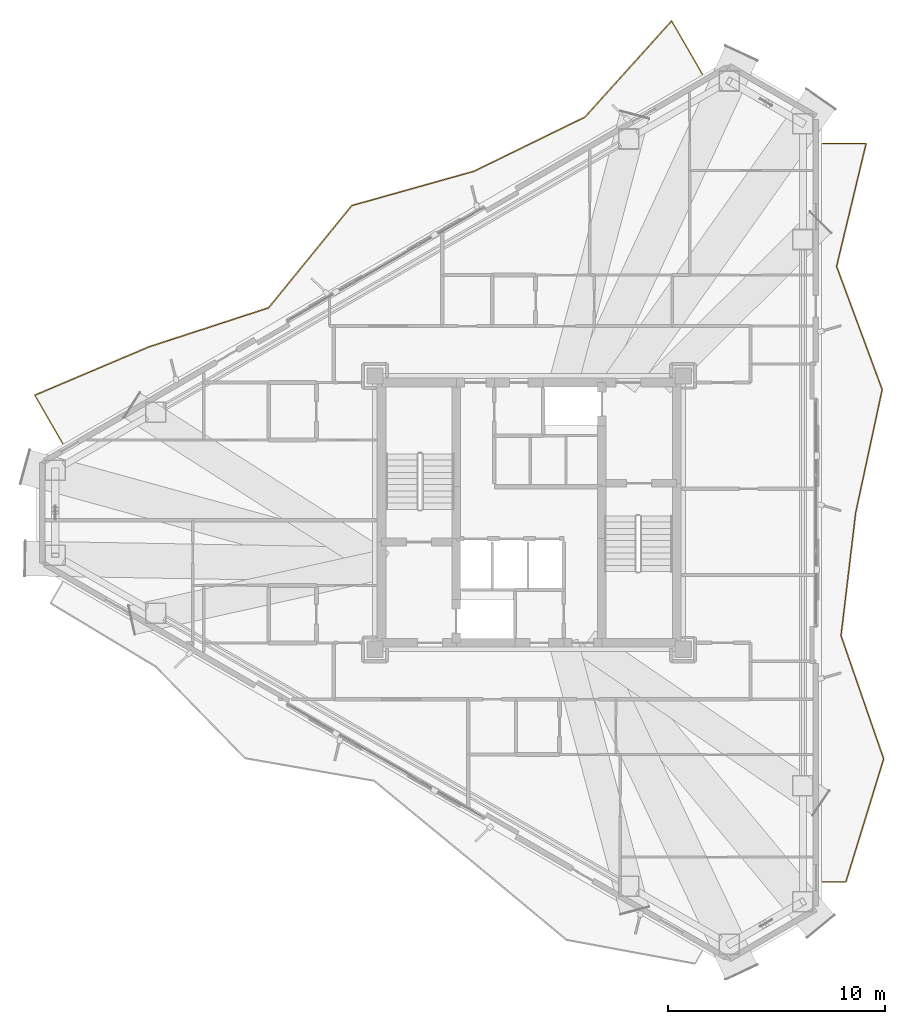
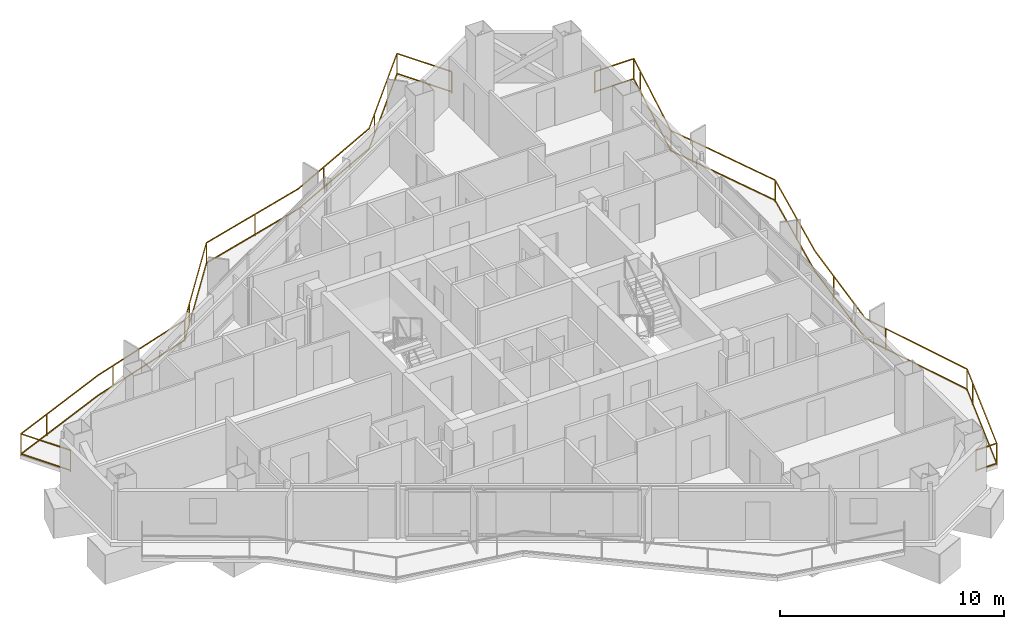
# One storey, part 21 of 21: 2 railings.
"""IFC4 building model written with IfcOpenShell, lengths in metres."""

from ifc_helpers import new_model, si_unit, direction, frame, origin, origin_2d, place, context, subcontext, project, spatial, rectangle, extrude, material, type_object, element, save


model = new_model("IFC4")

# Units and contexts
model_context = context("Model", 3, precision=1e-05, world=origin(), true_north=direction((0.0, 1.0)))
body_context = subcontext(model_context, "Body", "Model", "MODEL_VIEW")
ifc_project = project(units=[si_unit("LENGTHUNIT", "METRE"), si_unit("AREAUNIT", "SQUARE_METRE"), si_unit("VOLUMEUNIT", "CUBIC_METRE"), si_unit("PLANEANGLEUNIT", "RADIAN"), si_unit("MASSUNIT", "GRAM", prefix="KILO")], contexts=[model_context])

# Site, building, storey
site_placement = place(None, origin())
site = spatial("IfcSite", under=ifc_project, at=site_placement, CompositionType="ELEMENT")
building_placement = place(site_placement, origin())
building = spatial("IfcBuilding", under=site, at=building_placement, Name="Mersakhor Tower and Convention Hall", CompositionType="ELEMENT")
storey_placement = place(building_placement, frame((0.0, 0.0, 121.199951171875)))
storey = spatial("IfcBuildingStorey", under=building, at=storey_placement, Name="L33", CompositionType="ELEMENT", Elevation=121.199951171875)

# Railings
ifc_material = material(Name="Powder-coated galvanised steel and laminated glass balustrade", Category="steel")
railing_type = type_object("IfcRailingType", Name="RL-BAL-1200", PredefinedType="BALUSTRADE", material=ifc_material)
railing_1_placement = place(storey_placement, frame((36.983154296875, 46.969482421875, 0.0)))
element("IfcRailing", 1, at=railing_1_placement, inside=storey, type_object=railing_type, Name="L33 Sinusoidal Balcony Balustrade F1", PredefinedType="BALUSTRADE", context=body_context, shape_type="SweptSolid", body=[
    extrude(rectangle(XDim=0.048095703125, YDim=0.048095703125, at=origin_2d()), frame((0.0, 0.0, 1.17578125), z_axis=(-0.500012199891, 0.86601836006, 0.0), x_axis=(-0.86601836006, -0.500012199891, 0.0)), (0.0, 0.0, 1.0), 2.8203125),
    extrude(rectangle(XDim=0.048095703125, YDim=0.048095703125, at=origin_2d()), frame((0.0, 0.0, 0.080078125), z_axis=(-0.500012199891, 0.86601836006, 0.0), x_axis=(-0.86601836006, -0.500012199891, 0.0)), (0.0, 0.0, 1.0), 2.8203125),
    extrude(rectangle(XDim=0.048095703125, YDim=0.048095703125, at=origin_2d()), frame((-1.41015625, 2.4423828125, 1.17578125), z_axis=(-0.669360291036, -0.742937952177, 0.0), x_axis=(0.742937952177, -0.669360291036, 0.0)), (0.0, 0.0, 1.0), 5.966064453125),
    extrude(rectangle(XDim=0.048095703125, YDim=0.048095703125, at=origin_2d()), frame((-1.41015625, 2.4423828125, 0.080078125), z_axis=(-0.669360291036, -0.742937952177, 0.0), x_axis=(0.742937952177, -0.669360291036, 0.0)), (0.0, 0.0, 1.0), 5.966064453125),
    extrude(rectangle(XDim=0.048095703125, YDim=0.048095703125, at=origin_2d()), frame((-5.403564453125, -1.989990234375, 1.17578125), z_axis=(-0.898610808276, -0.438746641297, 0.0), x_axis=(0.438746641297, -0.898610808276, 0.0)), (0.0, 0.0, 1.0), 5.68798828125),
    extrude(rectangle(XDim=0.048095703125, YDim=0.048095703125, at=origin_2d()), frame((-5.403564453125, -1.989990234375, 0.080078125), z_axis=(-0.898610808276, -0.438746641297, 0.0), x_axis=(0.438746641297, -0.898610808276, 0.0)), (0.0, 0.0, 1.0), 5.68798828125),
    extrude(rectangle(XDim=0.048095703125, YDim=0.048095703125, at=origin_2d()), frame((-10.514892578125, -4.485595703125, 1.17578125), z_axis=(-0.96273679858, -0.270440116589, 0.0), x_axis=(0.270440116589, -0.96273679858, 0.0)), (0.0, 0.0, 1.0), 5.856201171875),
    extrude(rectangle(XDim=0.048095703125, YDim=0.048095703125, at=origin_2d()), frame((-10.514892578125, -4.485595703125, 0.080078125), z_axis=(-0.96273679858, -0.270440116589, 0.0), x_axis=(0.270440116589, -0.96273679858, 0.0)), (0.0, 0.0, 1.0), 5.856201171875),
    extrude(rectangle(XDim=0.048095703125, YDim=0.048095703125, at=origin_2d()), frame((-16.15283203125, -6.0693359375, 1.17578125), z_axis=(-0.630989062875, -0.775791726259, 0.0), x_axis=(0.775791726259, -0.630989062875, 0.0)), (0.0, 0.0, 1.0), 6.072998046875),
    extrude(rectangle(XDim=0.048095703125, YDim=0.048095703125, at=origin_2d()), frame((-16.15283203125, -6.0693359375, 0.080078125), z_axis=(-0.630989062875, -0.775791726259, 0.0), x_axis=(0.775791726259, -0.630989062875, 0.0)), (0.0, 0.0, 1.0), 6.072998046875),
    extrude(rectangle(XDim=0.048095703125, YDim=0.048095703125, at=origin_2d()), frame((-19.98486328125, -10.78076171875, 1.17578125), z_axis=(-0.950655636145, -0.310248064402, 0.0), x_axis=(0.310248064402, -0.950655636145, 0.0)), (0.0, 0.0, 1.0), 5.799560546875),
    extrude(rectangle(XDim=0.048095703125, YDim=0.048095703125, at=origin_2d()), frame((-19.98486328125, -10.78076171875, 0.080078125), z_axis=(-0.950655636145, -0.310248064402, 0.0), x_axis=(0.310248064402, -0.950655636145, 0.0)), (0.0, 0.0, 1.0), 5.799560546875),
    extrude(rectangle(XDim=0.048095703125, YDim=0.048095703125, at=origin_2d()), frame((-25.498291015625, -12.580078125, 1.17578125), z_axis=(-0.920808646628, -0.390014661642, 0.0), x_axis=(0.390014661642, -0.920808646628, 0.0)), (0.0, 0.0, 1.0), 5.7177734375),
    extrude(rectangle(XDim=0.048095703125, YDim=0.048095703125, at=origin_2d()), frame((-25.498291015625, -12.580078125, 0.080078125), z_axis=(-0.920808646628, -0.390014661642, 0.0), x_axis=(0.390014661642, -0.920808646628, 0.0)), (0.0, 0.0, 1.0), 5.7177734375),
    extrude(rectangle(XDim=0.048095703125, YDim=0.048095703125, at=origin_2d()), frame((-30.76318359375, -14.81005859375, 1.17578125), z_axis=(0.500022914263, -0.866012173824, 0.0), x_axis=(0.866012173824, 0.500022914263, 0.0)), (0.0, 0.0, 1.0), 2.5556640625),
    extrude(rectangle(XDim=0.048095703125, YDim=0.048095703125, at=origin_2d()), frame((-30.76318359375, -14.81005859375, 0.080078125), z_axis=(0.500022914263, -0.866012173824, 0.0), x_axis=(0.866012173824, 0.500022914263, 0.0)), (0.0, 0.0, 1.0), 2.5556640625),
    extrude(rectangle(XDim=0.0419921875, YDim=0.0419921875, at=origin_2d()), origin(), (0.0, 0.0, 1.0), 1.15185546875),
    extrude(rectangle(XDim=0.0419921875, YDim=0.0419921875, at=origin_2d()), frame((-1.41015625, 2.4423828125, 0.0)), (0.0, 0.0, 1.0), 1.15185546875),
    extrude(rectangle(XDim=0.0419921875, YDim=0.0419921875, at=origin_2d()), frame((-4.623046875, -1.123779296875, 0.0)), (0.0, 0.0, 1.0), 1.15185546875),
    extrude(rectangle(XDim=0.0419921875, YDim=0.0419921875, at=origin_2d()), frame((-8.669189453125, -3.58447265625, 0.0)), (0.0, 0.0, 1.0), 1.15185546875),
    extrude(rectangle(XDim=0.0419921875, YDim=0.0419921875, at=origin_2d()), frame((-13.158447265625, -5.228271484375, 0.0)), (0.0, 0.0, 1.0), 1.15185546875),
    extrude(rectangle(XDim=0.0419921875, YDim=0.0419921875, at=origin_2d()), frame((-16.15283203125, -6.0693359375, 0.0)), (0.0, 0.0, 1.0), 1.15185546875),
    extrude(rectangle(XDim=0.0419921875, YDim=0.0419921875, at=origin_2d()), frame((-19.181640625, -9.793212890625, 0.0)), (0.0, 0.0, 1.0), 1.15185546875),
    extrude(rectangle(XDim=0.0419921875, YDim=0.0419921875, at=origin_2d()), frame((-19.98486328125, -10.78076171875, 0.0)), (0.0, 0.0, 1.0), 1.15185546875),
    extrude(rectangle(XDim=0.0419921875, YDim=0.0419921875, at=origin_2d()), frame((-24.548095703125, -12.27001953125, 0.0)), (0.0, 0.0, 1.0), 1.15185546875),
    extrude(rectangle(XDim=0.0419921875, YDim=0.0419921875, at=origin_2d()), frame((-28.997802734375, -14.062255859375, 0.0)), (0.0, 0.0, 1.0), 1.15185546875),
    extrude(rectangle(XDim=0.0419921875, YDim=0.0419921875, at=origin_2d()), frame((-30.76318359375, -14.81005859375, 0.0)), (0.0, 0.0, 1.0), 1.15185546875),
    extrude(rectangle(XDim=0.0419921875, YDim=0.0419921875, at=origin_2d()), frame((-29.4853515625, -17.023193359375, 0.0)), (0.0, 0.0, 1.0), 1.15185546875),
])
railing_2_placement = place(storey_placement, frame((42.519287109375, 9.726806640625, 0.0)))
element("IfcRailing", 2, at=railing_2_placement, inside=storey, type_object=railing_type, Name="L33 Sinusoidal Balcony Balustrade F2", PredefinedType="BALUSTRADE", context=body_context, shape_type="SweptSolid", body=[
    extrude(rectangle(XDim=0.048095703125, YDim=0.048095703125, at=origin_2d()), frame((0.0, 0.0, 1.17578125), z_axis=(1.0, 0.0, 0.0), x_axis=(0.0, 1.0, 0.0)), (0.0, 0.0, 1.0), 1.075927734375),
    extrude(rectangle(XDim=0.048095703125, YDim=0.048095703125, at=origin_2d()), frame((0.0, 0.0, 0.080078125), z_axis=(1.0, 0.0, 0.0), x_axis=(0.0, 1.0, 0.0)), (0.0, 0.0, 1.0), 1.075927734375),
    extrude(rectangle(XDim=0.048095703125, YDim=0.048095703125, at=origin_2d()), frame((1.075927734375, 0.0, 1.17578125), z_axis=(0.293770821567, 0.955875883363, 0.0), x_axis=(-0.955875883363, 0.293770821567, 0.0)), (0.0, 0.0, 1.0), 5.936279296875),
    extrude(rectangle(XDim=0.048095703125, YDim=0.048095703125, at=origin_2d()), frame((1.075927734375, 0.0, 0.080078125), z_axis=(0.293770821567, 0.955875883363, 0.0), x_axis=(-0.955875883363, 0.293770821567, 0.0)), (0.0, 0.0, 1.0), 5.936279296875),
    extrude(rectangle(XDim=0.048095703125, YDim=0.048095703125, at=origin_2d()), frame((2.81982421875, 5.67431640625, 1.17578125), z_axis=(-0.327232042812, 0.944944014298, 0.0), x_axis=(-0.944944014298, -0.327232042812, 0.0)), (0.0, 0.0, 1.0), 6.005126953125),
    extrude(rectangle(XDim=0.048095703125, YDim=0.048095703125, at=origin_2d()), frame((2.81982421875, 5.67431640625, 0.080078125), z_axis=(-0.327232042812, 0.944944014298, 0.0), x_axis=(-0.944944014298, -0.327232042812, 0.0)), (0.0, 0.0, 1.0), 6.005126953125),
    extrude(rectangle(XDim=0.048095703125, YDim=0.048095703125, at=origin_2d()), frame((0.854736328125, 11.348876953125, 1.17578125), z_axis=(0.118343279321, 0.992972742949, 0.0), x_axis=(-0.992972742949, 0.118343279321, 0.0)), (0.0, 0.0, 1.0), 5.71435546875),
    extrude(rectangle(XDim=0.048095703125, YDim=0.048095703125, at=origin_2d()), frame((0.854736328125, 11.348876953125, 0.080078125), z_axis=(0.118343279321, 0.992972742949, 0.0), x_axis=(-0.992972742949, 0.118343279321, 0.0)), (0.0, 0.0, 1.0), 5.71435546875),
    extrude(rectangle(XDim=0.048095703125, YDim=0.048095703125, at=origin_2d()), frame((1.531005859375, 17.023193359375, 1.17578125), z_axis=(0.210275912908, 0.977642081976, 0.0), x_axis=(-0.977642081976, 0.210275912908, 0.0)), (0.0, 0.0, 1.0), 5.80419921875),
    extrude(rectangle(XDim=0.048095703125, YDim=0.048095703125, at=origin_2d()), frame((1.531005859375, 17.023193359375, 0.080078125), z_axis=(0.210275912908, 0.977642081976, 0.0), x_axis=(-0.977642081976, 0.210275912908, 0.0)), (0.0, 0.0, 1.0), 5.80419921875),
    extrude(rectangle(XDim=0.048095703125, YDim=0.048095703125, at=origin_2d()), frame((2.75146484375, 22.697509765625, 1.17578125), z_axis=(-0.347295959276, 0.937755574055, 0.0), x_axis=(-0.937755574055, -0.347295959276, 0.0)), (0.0, 0.0, 1.0), 6.05126953125),
    extrude(rectangle(XDim=0.048095703125, YDim=0.048095703125, at=origin_2d()), frame((2.75146484375, 22.697509765625, 0.080078125), z_axis=(-0.347295959276, 0.937755574055, 0.0), x_axis=(-0.937755574055, -0.347295959276, 0.0)), (0.0, 0.0, 1.0), 6.05126953125),
    extrude(rectangle(XDim=0.048095703125, YDim=0.048095703125, at=origin_2d()), frame((0.64990234375, 28.3720703125, 1.17578125), z_axis=(0.233607120925, 0.972331071731, 0.0), x_axis=(-0.972331071731, 0.233607120925, 0.0)), (0.0, 0.0, 1.0), 5.835693359375),
    extrude(rectangle(XDim=0.048095703125, YDim=0.048095703125, at=origin_2d()), frame((0.64990234375, 28.3720703125, 0.080078125), z_axis=(0.233607120925, 0.972331071731, 0.0), x_axis=(-0.972331071731, 0.233607120925, 0.0)), (0.0, 0.0, 1.0), 5.835693359375),
    extrude(rectangle(XDim=0.048095703125, YDim=0.048095703125, at=origin_2d()), frame((2.01318359375, 34.04638671875, 1.17578125), z_axis=(-1.0, 0.0, 0.0), x_axis=(0.0, -1.0, 0.0)), (0.0, 0.0, 1.0), 2.01318359375),
    extrude(rectangle(XDim=0.048095703125, YDim=0.048095703125, at=origin_2d()), frame((2.01318359375, 34.04638671875, 0.080078125), z_axis=(-1.0, 0.0, 0.0), x_axis=(0.0, -1.0, 0.0)), (0.0, 0.0, 1.0), 2.01318359375),
    extrude(rectangle(XDim=0.0419921875, YDim=0.0419921875, at=origin_2d()), origin(), (0.0, 0.0, 1.0), 1.15185546875),
    extrude(rectangle(XDim=0.0419921875, YDim=0.0419921875, at=origin_2d()), frame((1.075927734375, 0.0, 0.0)), (0.0, 0.0, 1.0), 1.15185546875),
    extrude(rectangle(XDim=0.0419921875, YDim=0.0419921875, at=origin_2d()), frame((2.486083984375, 4.588134765625, 0.0)), (0.0, 0.0, 1.0), 1.15185546875),
    extrude(rectangle(XDim=0.0419921875, YDim=0.0419921875, at=origin_2d()), frame((2.81982421875, 5.67431640625, 0.0)), (0.0, 0.0, 1.0), 1.15185546875),
    extrude(rectangle(XDim=0.0419921875, YDim=0.0419921875, at=origin_2d()), frame((1.2490234375, 10.2099609375, 0.0)), (0.0, 0.0, 1.0), 1.15185546875),
    extrude(rectangle(XDim=0.0419921875, YDim=0.0419921875, at=origin_2d()), frame((1.2802734375, 14.91845703125, 0.0)), (0.0, 0.0, 1.0), 1.15185546875),
    extrude(rectangle(XDim=0.0419921875, YDim=0.0419921875, at=origin_2d()), frame((2.0947265625, 19.6435546875, 0.0)), (0.0, 0.0, 1.0), 1.15185546875),
    extrude(rectangle(XDim=0.0419921875, YDim=0.0419921875, at=origin_2d()), frame((2.75146484375, 22.697509765625, 0.0)), (0.0, 0.0, 1.0), 1.15185546875),
    extrude(rectangle(XDim=0.0419921875, YDim=0.0419921875, at=origin_2d()), frame((1.08447265625, 27.19873046875, 0.0)), (0.0, 0.0, 1.0), 1.15185546875),
    extrude(rectangle(XDim=0.0419921875, YDim=0.0419921875, at=origin_2d()), frame((0.64990234375, 28.3720703125, 0.0)), (0.0, 0.0, 1.0), 1.15185546875),
    extrude(rectangle(XDim=0.0419921875, YDim=0.0419921875, at=origin_2d()), frame((1.771240234375, 33.039306640625, 0.0)), (0.0, 0.0, 1.0), 1.15185546875),
    extrude(rectangle(XDim=0.0419921875, YDim=0.0419921875, at=origin_2d()), frame((2.01318359375, 34.04638671875, 0.0)), (0.0, 0.0, 1.0), 1.15185546875),
    extrude(rectangle(XDim=0.0419921875, YDim=0.0419921875, at=origin_2d()), frame((0.0, 34.04638671875, 0.0)), (0.0, 0.0, 1.0), 1.15185546875),
])

save(model, "model.ifc")
